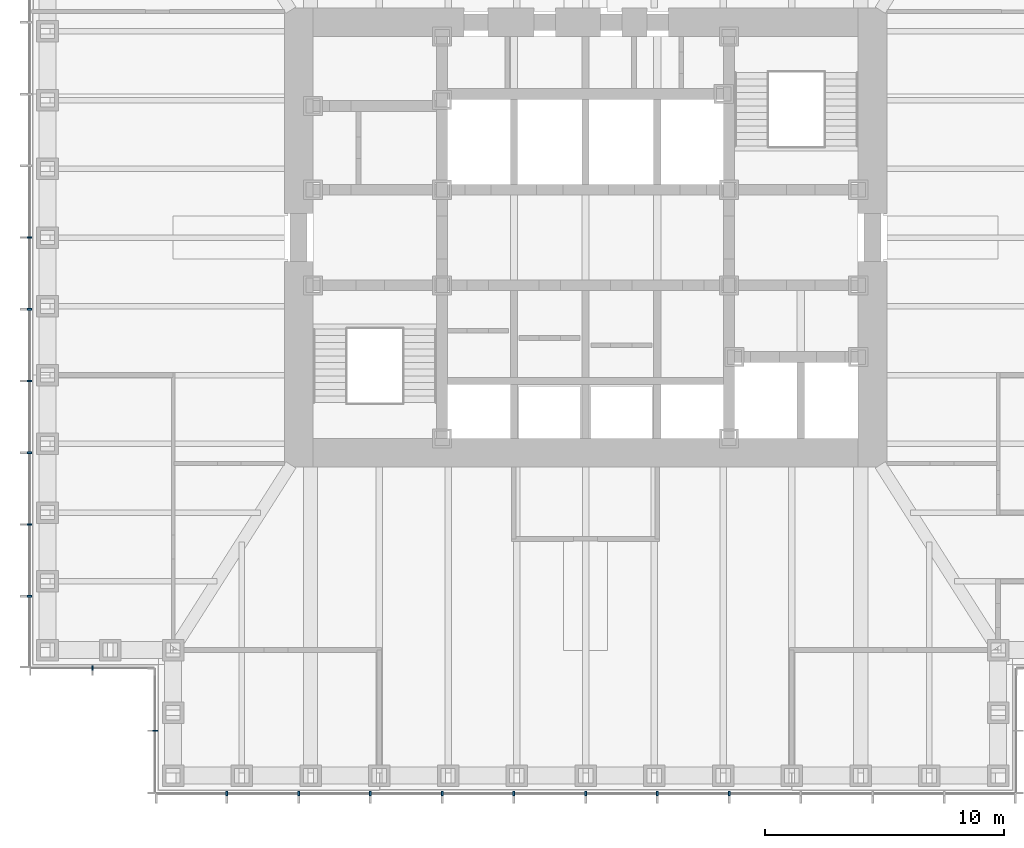
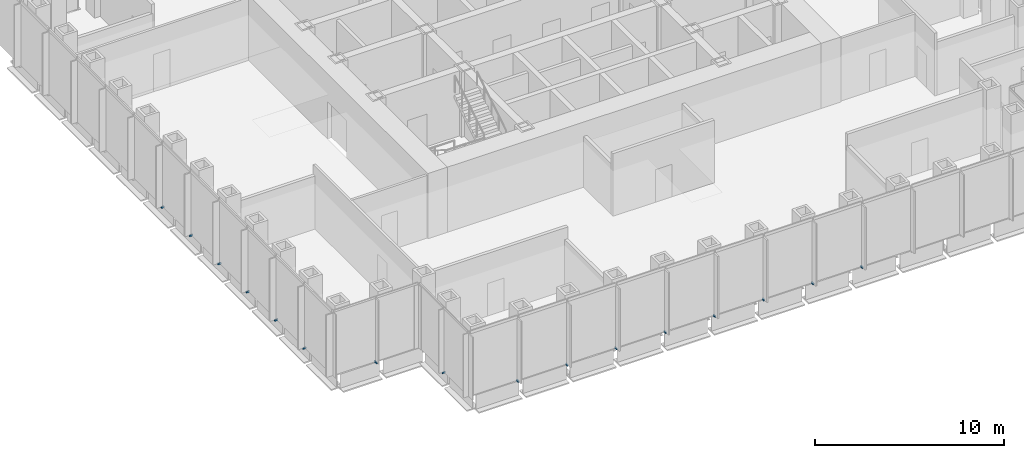
# One storey, part 11 of 16: 16 discrete accessories.
"""IFC4 building model written with IfcOpenShell, lengths in metres."""

from ifc_helpers import new_model, si_unit, direction, frame, origin, origin_2d, place, context, subcontext, project, spatial, rectangle, extrude, element, save


model = new_model("IFC4")

# Units and contexts
model_context = context("Model", 3, precision=1e-05, world=origin(), true_north=direction((0.0, 1.0)))
body_context = subcontext(model_context, "Body", "Model", "MODEL_VIEW")
ifc_project = project(units=[si_unit("LENGTHUNIT", "METRE"), si_unit("AREAUNIT", "SQUARE_METRE"), si_unit("VOLUMEUNIT", "CUBIC_METRE"), si_unit("PLANEANGLEUNIT", "RADIAN"), si_unit("MASSUNIT", "GRAM", prefix="KILO")], contexts=[model_context])

# Site, building, storey
site_placement = place(None, origin())
site = spatial("IfcSite", under=ifc_project, at=site_placement, CompositionType="ELEMENT")
building_placement = place(site_placement, origin())
building = spatial("IfcBuilding", under=site, at=building_placement, Name="Daluyong Arena Tower", CompositionType="ELEMENT")
storey_placement = place(building_placement, frame((0.0, 0.0, 137.5)))
storey = spatial("IfcBuildingStorey", under=building, at=storey_placement, Name="L30", CompositionType="ELEMENT", Elevation=137.5)

# Discrete accessories
for number, where, z_axis, x_axis, name in (
    (1, (41.0, 56.75, -0.10009765625), (0.0, 0.0, 1.0), (1.0, 0.0, 0.0), "curtain wall L30 S anchor bracket 2"),
    (2, (44.0, 56.75, -0.10009765625), (0.0, 0.0, 1.0), (1.0, 0.0, 0.0), "curtain wall L30 S anchor bracket 3"),
    (3, (47.0, 56.75, -0.10009765625), (0.0, 0.0, 1.0), (1.0, 0.0, 0.0), "curtain wall L30 S anchor bracket 4"),
    (4, (50.0, 56.75, -0.10009765625), (0.0, 0.0, 1.0), (1.0, 0.0, 0.0), "curtain wall L30 S anchor bracket 5"),
    (5, (53.0, 56.75, -0.10009765625), (0.0, 0.0, 1.0), (1.0, 0.0, 0.0), "curtain wall L30 S anchor bracket 6"),
    (6, (56.0, 56.75, -0.10009765625), (0.0, 0.0, 1.0), (1.0, 0.0, 0.0), "curtain wall L30 S anchor bracket 7"),
    (7, (59.0, 56.75, -0.10009765625), (0.0, 0.0, 1.0), (1.0, 0.0, 0.0), "curtain wall L30 S anchor bracket 8"),
    (8, (62.0, 56.75, -0.10009765625), (0.0, 0.0, 1.0), (1.0, 0.0, 0.0), "curtain wall L30 S anchor bracket 9"),
    (9, (32.75, 80.0, -0.10009765625), (0.0, 0.0, 1.0), (0.0, -1.0, 0.0), "curtain wall L30 W anchor bracket 7"),
    (10, (32.75, 77.0, -0.10009765625), (0.0, 0.0, 1.0), (0.0, -1.0, 0.0), "curtain wall L30 W anchor bracket 8"),
    (11, (32.75, 74.0, -0.10009765625), (0.0, 0.0, 1.0), (0.0, -1.0, 0.0), "curtain wall L30 W anchor bracket 9"),
    (12, (32.75, 71.0, -0.10009765625), (0.0, 0.0, 1.0), (0.0, -1.0, 0.0), "curtain wall L30 W anchor bracket 10"),
    (13, (32.75, 68.0, -0.10009765625), (0.0, 0.0, 1.0), (0.0, -1.0, 0.0), "curtain wall L30 W anchor bracket 11"),
    (14, (32.75, 65.0, -0.10009765625), (0.0, 0.0, 1.0), (0.0, -1.0, 0.0), "curtain wall L30 W anchor bracket 12"),
):
    element("IfcDiscreteAccessory", number, at=place(storey_placement, frame(where, z_axis=z_axis, x_axis=x_axis)), inside=storey, Name=name, PredefinedType="BRACKET", context=body_context, shape_type="SweptSolid", body=[
        extrude(rectangle(XDim=0.080078125, YDim=0.199951171875, at=origin_2d()), origin(), (0.0, 0.0, 1.0), 0.10009765625),
    ])
for number, where, z_axis, x_axis, name in (
    (15, (35.375, 62.0, -0.10009765625), (0.0, 0.0, 1.0), (1.0, 0.0, 0.0), "curtain wall L30 SW-S anchor bracket 2"),
    (16, (38.0, 59.375, -0.10009765625), (0.0, 0.0, 1.0), (0.0, -1.0, 0.0), "curtain wall L30 SW-W anchor bracket 2"),
):
    element("IfcDiscreteAccessory", number, at=place(storey_placement, frame(where, z_axis=z_axis, x_axis=x_axis)), inside=storey, Name=name, PredefinedType="BRACKET", context=body_context, shape_type="SweptSolid", body=[
        extrude(rectangle(XDim=0.06005859375, YDim=0.199951171875, at=origin_2d()), origin(), (0.0, 0.0, 1.0), 0.10009765625),
    ])

save(model, "model.ifc")
